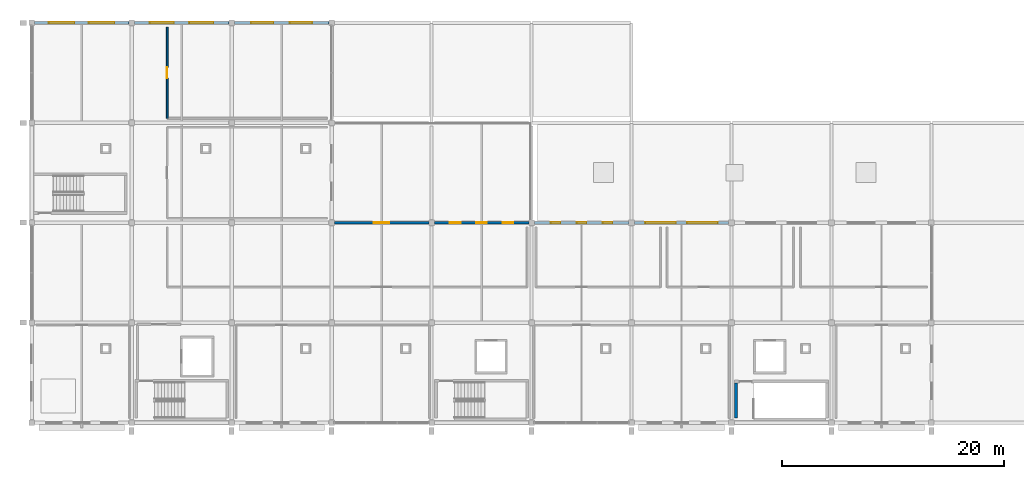
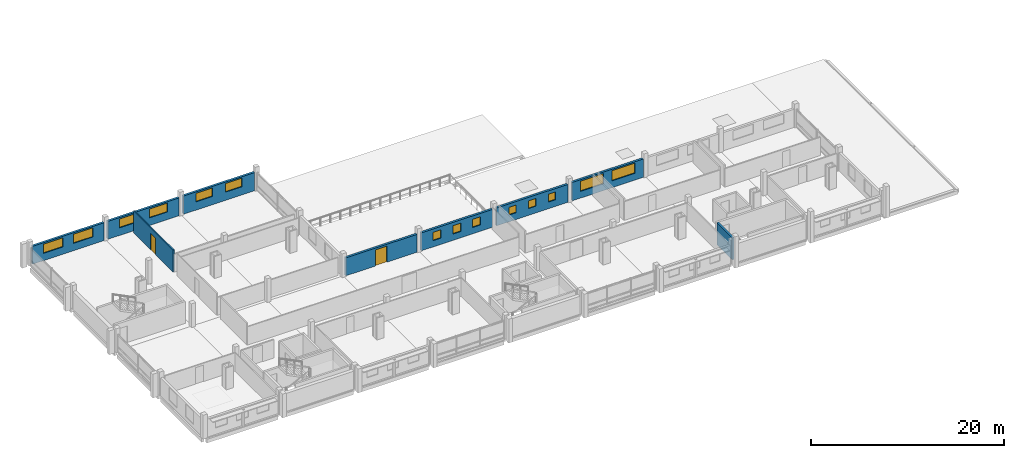
# One storey, part 20 of 25: 14 windows, 9 walls, 2 doors, 16 openings.
"""IFC4 building model written with IfcOpenShell, lengths in metres."""

from ifc_helpers import new_model, si_unit, direction, frame, frame_2d, origin, place, context, subcontext, project, spatial, rectangle, extrude, material, layer, layer_set, type_object, element, fill, save


model = new_model("IFC4")

# Units and contexts
model_context = context("Model", 3, precision=1e-05, world=origin(), true_north=direction((0.0, 1.0)))
body_context = subcontext(model_context, "Body", "Model", "MODEL_VIEW")
ifc_project = project(units=[si_unit("LENGTHUNIT", "METRE"), si_unit("AREAUNIT", "SQUARE_METRE"), si_unit("VOLUMEUNIT", "CUBIC_METRE"), si_unit("PLANEANGLEUNIT", "RADIAN"), si_unit("MASSUNIT", "GRAM", prefix="KILO")], contexts=[model_context])

# Site, building, storey
site_placement = place(None, origin())
site = spatial("IfcSite", under=ifc_project, at=site_placement, CompositionType="ELEMENT")
building_placement = place(site_placement, origin())
building = spatial("IfcBuilding", under=site, at=building_placement, Name="Tharagai Park Tramway Depot", CompositionType="ELEMENT")
storey_placement = place(building_placement, frame((0.0, 0.0, 12.0)))
storey = spatial("IfcBuildingStorey", under=building, at=storey_placement, Name="L03", CompositionType="ELEMENT", Elevation=12.0)

# Wall, opening, door
ifc_material_1 = material(Name="Pressed clay brick", Category="masonry")
ifc_layer_1 = layer(ifc_material_1, 0.260009765625)
ifc_layer_set_1 = layer_set([ifc_layer_1], Name="Pressed clay brick")
wall_type_1 = type_object("IfcWallType", Name="EW-05", PredefinedType="SOLIDWALL", material=ifc_layer_set_1)
wall_1_placement = place(storey_placement, frame((27.248046875, 18.0, 0.0), z_axis=(0.0, 0.0, 1.0), x_axis=(1.0, 0.0, 0.0)))
wall_1 = element("IfcWall", 1, at=wall_1_placement, inside=storey, type_object=wall_type_1, Name="L03 V4 Exterior Masonry Wall EW-05", PredefinedType="SOLIDWALL", context=body_context, shape_type="SweptSolid", body=[
    extrude(rectangle(XDim=8.50390625, YDim=0.260009765625, at=frame_2d((4.251953125, 0.0))), origin(), (0.0, 0.0, 1.0), 2.261962890625),
])
opening_1_placement = place(wall_1_placement, frame((3.56201171875, 0.0, 0.0)))
opening_1 = element("IfcOpeningElement", 2, at=opening_1_placement, cuts=wall_1, Name="Opening ED-02", PredefinedType="OPENING", context=body_context, shape_type="SweptSolid", body=[
    extrude(rectangle(XDim=1.3798828125, YDim=2.0400390625, at=frame_2d((0.68994140625, 1.02001953125))), frame((0.0, 0.139892578125, 0.0), z_axis=(0.0, -1.0, 0.0), x_axis=(1.0, 0.0, 0.0)), (0.0, 0.0, 1.0), 0.280029296875),
])
ifc_material_2 = material(Name="Anodised aluminium", Category="aluminium")
door_type_1 = type_object("IfcDoorType", Name="ED-02", OperationType="NOTDEFINED", PredefinedType="DOOR", material=ifc_material_2)
door_1_placement = place(opening_1_placement, origin())
door_1 = element("IfcDoor", 3, at=door_1_placement, inside=storey, type_object=door_type_1, Name="T-L03-V4 Terrace Access Door", OperationType="SINGLE_SWING_LEFT", OverallHeight=2.0400390625, OverallWidth=1.3798828125, PredefinedType="DOOR", context=body_context, shape_type="SweptSolid", body=[
    extrude(rectangle(XDim=1.3798828125, YDim=2.0400390625, at=frame_2d((0.68994140625, 1.02001953125))), frame((0.0, 0.02490234375, 0.0), z_axis=(0.0, -1.0, 0.0), x_axis=(1.0, 0.0, 0.0)), (0.0, 0.0, 1.0), 0.050048828125),
])
fill(opening_1, door_1)

# Wall, openings, windows
wall_2_placement = place(storey_placement, frame((36.248046875, 18.0, 0.0), z_axis=(0.0, 0.0, 1.0), x_axis=(1.0, 0.0, 0.0)))
wall_2 = element("IfcWall", 4, at=wall_2_placement, inside=storey, type_object=wall_type_1, Name="L03 V4 Exterior Masonry Wall EW-05", PredefinedType="SOLIDWALL", context=body_context, shape_type="SweptSolid", body=[
    extrude(rectangle(XDim=8.50390625, YDim=0.260009765625, at=frame_2d((4.251953125, 0.0))), origin(), (0.0, 0.0, 1.0), 2.261962890625),
])
opening_2_placement = place(wall_2_placement, frame((1.406005859375, 0.0, 0.800048828125)))
opening_2 = element("IfcOpeningElement", 5, at=opening_2_placement, cuts=wall_2, Name="Opening WN-51", PredefinedType="OPENING", context=body_context, shape_type="SweptSolid", body=[
    extrude(rectangle(XDim=0.9599609375, YDim=1.0400390625, at=frame_2d((0.47998046875, 0.52001953125))), frame((0.0, 0.139892578125, 0.0), z_axis=(0.0, -1.0, 0.0), x_axis=(1.0, 0.0, 0.0)), (0.0, 0.0, 1.0), 0.280029296875),
])
opening_3_placement = place(wall_2_placement, frame((3.77197265625, 0.0, 0.800048828125)))
opening_3 = element("IfcOpeningElement", 6, at=opening_3_placement, cuts=wall_2, Name="Opening WN-51", PredefinedType="OPENING", context=body_context, shape_type="SweptSolid", body=[
    extrude(rectangle(XDim=0.9599609375, YDim=1.0400390625, at=frame_2d((0.47998046875, 0.52001953125))), frame((0.0, 0.139892578125, 0.0), z_axis=(0.0, -1.0, 0.0), x_axis=(1.0, 0.0, 0.0)), (0.0, 0.0, 1.0), 0.280029296875),
])
opening_4_placement = place(wall_2_placement, frame((6.137939453125, 0.0, 0.800048828125)))
opening_4 = element("IfcOpeningElement", 7, at=opening_4_placement, cuts=wall_2, Name="Opening WN-51", PredefinedType="OPENING", context=body_context, shape_type="SweptSolid", body=[
    extrude(rectangle(XDim=0.9599609375, YDim=1.0400390625, at=frame_2d((0.47998046875, 0.52001953125))), frame((0.0, 0.139892578125, 0.0), z_axis=(0.0, -1.0, 0.0), x_axis=(1.0, 0.0, 0.0)), (0.0, 0.0, 1.0), 0.280029296875),
])
ifc_material_3 = material(Name="Laminated solar-control glass", Category="glass")
window_type_1 = type_object("IfcWindowType", Name="WN-51", PartitioningType="SINGLE_PANEL", PredefinedType="WINDOW", material=ifc_material_3)
window_1_placement = place(opening_2_placement, origin())
window_1 = element("IfcWindow", 8, at=window_1_placement, inside=storey, type_object=window_type_1, Name="L03 V4 Gothic Lancet Window WN-51", OverallHeight=1.0400390625, OverallWidth=0.9599609375, PartitioningType="SINGLE_PANEL", PredefinedType="WINDOW", context=body_context, shape_type="SweptSolid", body=[
    extrude(rectangle(XDim=0.9599609375, YDim=1.0400390625, at=frame_2d((0.47998046875, 0.52001953125))), frame((0.0, 0.030029296875, 0.0), z_axis=(0.0, -1.0, 0.0), x_axis=(1.0, 0.0, 0.0)), (0.0, 0.0, 1.0), 0.06005859375),
])
fill(opening_2, window_1)
window_2_placement = place(opening_3_placement, origin())
window_2 = element("IfcWindow", 9, at=window_2_placement, inside=storey, type_object=window_type_1, Name="L03 V4 Gothic Lancet Window WN-51", OverallHeight=1.0400390625, OverallWidth=0.9599609375, PartitioningType="SINGLE_PANEL", PredefinedType="WINDOW", context=body_context, shape_type="SweptSolid", body=[
    extrude(rectangle(XDim=0.9599609375, YDim=1.0400390625, at=frame_2d((0.47998046875, 0.52001953125))), frame((0.0, 0.030029296875, 0.0), z_axis=(0.0, -1.0, 0.0), x_axis=(1.0, 0.0, 0.0)), (0.0, 0.0, 1.0), 0.06005859375),
])
fill(opening_3, window_2)
window_3_placement = place(opening_4_placement, origin())
window_3 = element("IfcWindow", 10, at=window_3_placement, inside=storey, type_object=window_type_1, Name="L03 V4 Gothic Lancet Window WN-51", OverallHeight=1.0400390625, OverallWidth=0.9599609375, PartitioningType="SINGLE_PANEL", PredefinedType="WINDOW", context=body_context, shape_type="SweptSolid", body=[
    extrude(rectangle(XDim=0.9599609375, YDim=1.0400390625, at=frame_2d((0.47998046875, 0.52001953125))), frame((0.0, 0.030029296875, 0.0), z_axis=(0.0, -1.0, 0.0), x_axis=(1.0, 0.0, 0.0)), (0.0, 0.0, 1.0), 0.06005859375),
])
fill(opening_4, window_3)

wall_3_placement = place(storey_placement, frame((45.248046875, 18.0, 0.0), z_axis=(0.0, 0.0, 1.0), x_axis=(1.0, 0.0, 0.0)))
wall_3 = element("IfcWall", 11, at=wall_3_placement, inside=storey, type_object=wall_type_1, Name="L03 V4 Exterior Masonry Wall EW-05", PredefinedType="SOLIDWALL", context=body_context, shape_type="SweptSolid", body=[
    extrude(rectangle(XDim=8.50390625, YDim=0.260009765625, at=frame_2d((4.251953125, 0.0))), origin(), (0.0, 0.0, 1.0), 2.261962890625),
])
opening_5_placement = place(wall_3_placement, frame((1.48095703125, 0.0, 0.85009765625)))
opening_5 = element("IfcOpeningElement", 12, at=opening_5_placement, cuts=wall_3, Name="Opening WN-06", PredefinedType="OPENING", context=body_context, shape_type="SweptSolid", body=[
    extrude(rectangle(XDim=0.860107421875, YDim=0.97998046875, at=frame_2d((0.43017578125, 0.489990234375))), frame((0.0, 0.139892578125, 0.0), z_axis=(0.0, -1.0, 0.0), x_axis=(1.0, 0.0, 0.0)), (0.0, 0.0, 1.0), 0.280029296875),
])
opening_6_placement = place(wall_3_placement, frame((3.822021484375, 0.0, 0.85009765625)))
opening_6 = element("IfcOpeningElement", 13, at=opening_6_placement, cuts=wall_3, Name="Opening WN-06", PredefinedType="OPENING", context=body_context, shape_type="SweptSolid", body=[
    extrude(rectangle(XDim=0.860107421875, YDim=0.97998046875, at=frame_2d((0.43017578125, 0.489990234375))), frame((0.0, 0.139892578125, 0.0), z_axis=(0.0, -1.0, 0.0), x_axis=(1.0, 0.0, 0.0)), (0.0, 0.0, 1.0), 0.280029296875),
])
opening_7_placement = place(wall_3_placement, frame((6.1630859375, 0.0, 0.85009765625)))
opening_7 = element("IfcOpeningElement", 14, at=opening_7_placement, cuts=wall_3, Name="Opening WN-06", PredefinedType="OPENING", context=body_context, shape_type="SweptSolid", body=[
    extrude(rectangle(XDim=0.860107421875, YDim=0.97998046875, at=frame_2d((0.43017578125, 0.489990234375))), frame((0.0, 0.139892578125, 0.0), z_axis=(0.0, -1.0, 0.0), x_axis=(1.0, 0.0, 0.0)), (0.0, 0.0, 1.0), 0.280029296875),
])
window_type_2 = type_object("IfcWindowType", Name="WN-06", PartitioningType="SINGLE_PANEL", PredefinedType="WINDOW", material=ifc_material_3)
window_4_placement = place(opening_5_placement, origin())
window_4 = element("IfcWindow", 15, at=window_4_placement, inside=storey, type_object=window_type_2, Name="L03 V4 Gothic Lancet Window WN-06", OverallHeight=0.97998046875, OverallWidth=0.860107421875, PartitioningType="SINGLE_PANEL", PredefinedType="WINDOW", context=body_context, shape_type="SweptSolid", body=[
    extrude(rectangle(XDim=0.860107421875, YDim=0.97998046875, at=frame_2d((0.43017578125, 0.489990234375))), frame((0.0, 0.030029296875, 0.0), z_axis=(0.0, -1.0, 0.0), x_axis=(1.0, 0.0, 0.0)), (0.0, 0.0, 1.0), 0.06005859375),
])
fill(opening_5, window_4)
window_5_placement = place(opening_6_placement, origin())
window_5 = element("IfcWindow", 16, at=window_5_placement, inside=storey, type_object=window_type_2, Name="L03 V4 Gothic Lancet Window WN-06", OverallHeight=0.97998046875, OverallWidth=0.860107421875, PartitioningType="SINGLE_PANEL", PredefinedType="WINDOW", context=body_context, shape_type="SweptSolid", body=[
    extrude(rectangle(XDim=0.860107421875, YDim=0.97998046875, at=frame_2d((0.43017578125, 0.489990234375))), frame((0.0, 0.030029296875, 0.0), z_axis=(0.0, -1.0, 0.0), x_axis=(1.0, 0.0, 0.0)), (0.0, 0.0, 1.0), 0.06005859375),
])
fill(opening_6, window_5)
window_6_placement = place(opening_7_placement, origin())
window_6 = element("IfcWindow", 17, at=window_6_placement, inside=storey, type_object=window_type_2, Name="L03 V4 Gothic Lancet Window WN-06", OverallHeight=0.97998046875, OverallWidth=0.860107421875, PartitioningType="SINGLE_PANEL", PredefinedType="WINDOW", context=body_context, shape_type="SweptSolid", body=[
    extrude(rectangle(XDim=0.860107421875, YDim=0.97998046875, at=frame_2d((0.43017578125, 0.489990234375))), frame((0.0, 0.030029296875, 0.0), z_axis=(0.0, -1.0, 0.0), x_axis=(1.0, 0.0, 0.0)), (0.0, 0.0, 1.0), 0.06005859375),
])
fill(opening_7, window_6)

wall_4_placement = place(storey_placement, frame((54.248046875, 18.0, 0.0), z_axis=(0.0, 0.0, 1.0), x_axis=(1.0, 0.0, 0.0)))
wall_4 = element("IfcWall", 18, at=wall_4_placement, inside=storey, type_object=wall_type_1, Name="L03 V4 Exterior Masonry Wall EW-05", PredefinedType="SOLIDWALL", context=body_context, shape_type="SweptSolid", body=[
    extrude(rectangle(XDim=8.50390625, YDim=0.260009765625, at=frame_2d((4.251953125, 0.0))), origin(), (0.0, 0.0, 1.0), 2.322021484375),
])
opening_8_placement = place(wall_4_placement, frame((1.0009765625, 0.0, 0.860107421875)))
opening_8 = element("IfcOpeningElement", 19, at=opening_8_placement, cuts=wall_4, Name="Opening WN-40", PredefinedType="OPENING", context=body_context, shape_type="SweptSolid", body=[
    extrude(rectangle(XDim=2.75, YDim=1.280029296875, at=frame_2d((1.375, 0.64013671875))), frame((0.0, 0.139892578125, 0.0), z_axis=(0.0, -1.0, 0.0), x_axis=(1.0, 0.0, 0.0)), (0.0, 0.0, 1.0), 0.280029296875),
])
opening_9_placement = place(wall_4_placement, frame((4.7529296875, 0.0, 0.860107421875)))
opening_9 = element("IfcOpeningElement", 20, at=opening_9_placement, cuts=wall_4, Name="Opening WN-40", PredefinedType="OPENING", context=body_context, shape_type="SweptSolid", body=[
    extrude(rectangle(XDim=2.75, YDim=1.280029296875, at=frame_2d((1.375, 0.64013671875))), frame((0.0, 0.139892578125, 0.0), z_axis=(0.0, -1.0, 0.0), x_axis=(1.0, 0.0, 0.0)), (0.0, 0.0, 1.0), 0.280029296875),
])
window_type_3 = type_object("IfcWindowType", Name="WN-40", PartitioningType="SINGLE_PANEL", PredefinedType="WINDOW", material=ifc_material_3)
window_7_placement = place(opening_8_placement, origin())
window_7 = element("IfcWindow", 21, at=window_7_placement, inside=storey, type_object=window_type_3, Name="L03 V4 Gothic Lancet Window WN-40", OverallHeight=1.280029296875, OverallWidth=2.75, PartitioningType="SINGLE_PANEL", PredefinedType="WINDOW", context=body_context, shape_type="SweptSolid", body=[
    extrude(rectangle(XDim=2.75, YDim=1.280029296875, at=frame_2d((1.375, 0.64013671875))), frame((0.0, 0.030029296875, 0.0), z_axis=(0.0, -1.0, 0.0), x_axis=(1.0, 0.0, 0.0)), (0.0, 0.0, 1.0), 0.06005859375),
])
fill(opening_8, window_7)
window_8_placement = place(opening_9_placement, origin())
window_8 = element("IfcWindow", 22, at=window_8_placement, inside=storey, type_object=window_type_3, Name="L03 V4 Gothic Lancet Window WN-40", OverallHeight=1.280029296875, OverallWidth=2.75, PartitioningType="SINGLE_PANEL", PredefinedType="WINDOW", context=body_context, shape_type="SweptSolid", body=[
    extrude(rectangle(XDim=2.75, YDim=1.280029296875, at=frame_2d((1.375, 0.64013671875))), frame((0.0, 0.030029296875, 0.0), z_axis=(0.0, -1.0, 0.0), x_axis=(1.0, 0.0, 0.0)), (0.0, 0.0, 1.0), 0.06005859375),
])
fill(opening_9, window_8)

wall_5_placement = place(storey_placement, frame((0.248046875, 36.0, 0.0), z_axis=(0.0, 0.0, 1.0), x_axis=(1.0, 0.0, 0.0)))
wall_5 = element("IfcWall", 23, at=wall_5_placement, inside=storey, type_object=wall_type_1, Name="L03 V4 Exterior Masonry Wall EW-05", PredefinedType="SOLIDWALL", context=body_context, shape_type="SweptSolid", body=[
    extrude(rectangle(XDim=8.50390625, YDim=0.260009765625, at=frame_2d((4.251953125, 0.0))), origin(), (0.0, 0.0, 1.0), 2.261962890625),
])
opening_10_placement = place(wall_5_placement, frame((1.301025390625, 0.0, 0.919921875)))
opening_10 = element("IfcOpeningElement", 24, at=opening_10_placement, cuts=wall_5, Name="Opening WN-50", PredefinedType="OPENING", context=body_context, shape_type="SweptSolid", body=[
    extrude(rectangle(XDim=2.300048828125, YDim=1.159912109375, at=frame_2d((1.14990234375, 0.580078125))), frame((0.0, 0.139892578125, 0.0), z_axis=(0.0, -1.0, 0.0), x_axis=(1.0, 0.0, 0.0)), (0.0, 0.0, 1.0), 0.280029296875),
])
opening_11_placement = place(wall_5_placement, frame((4.903076171875, 0.0, 0.919921875)))
opening_11 = element("IfcOpeningElement", 25, at=opening_11_placement, cuts=wall_5, Name="Opening WN-50", PredefinedType="OPENING", context=body_context, shape_type="SweptSolid", body=[
    extrude(rectangle(XDim=2.300048828125, YDim=1.159912109375, at=frame_2d((1.14990234375, 0.580078125))), frame((0.0, 0.139892578125, 0.0), z_axis=(0.0, -1.0, 0.0), x_axis=(1.0, 0.0, 0.0)), (0.0, 0.0, 1.0), 0.280029296875),
])
window_type_4 = type_object("IfcWindowType", Name="WN-50", PartitioningType="SINGLE_PANEL", PredefinedType="WINDOW", material=ifc_material_3)
window_9_placement = place(opening_10_placement, origin())
window_9 = element("IfcWindow", 26, at=window_9_placement, inside=storey, type_object=window_type_4, Name="L03 V4 Gothic Lancet Window WN-50", OverallHeight=1.159912109375, OverallWidth=2.300048828125, PartitioningType="SINGLE_PANEL", PredefinedType="WINDOW", context=body_context, shape_type="SweptSolid", body=[
    extrude(rectangle(XDim=2.300048828125, YDim=1.159912109375, at=frame_2d((1.14990234375, 0.580078125))), frame((0.0, 0.030029296875, 0.0), z_axis=(0.0, -1.0, 0.0), x_axis=(1.0, 0.0, 0.0)), (0.0, 0.0, 1.0), 0.06005859375),
])
fill(opening_10, window_9)
window_10_placement = place(opening_11_placement, origin())
window_10 = element("IfcWindow", 27, at=window_10_placement, inside=storey, type_object=window_type_4, Name="L03 V4 Gothic Lancet Window WN-50", OverallHeight=1.159912109375, OverallWidth=2.300048828125, PartitioningType="SINGLE_PANEL", PredefinedType="WINDOW", context=body_context, shape_type="SweptSolid", body=[
    extrude(rectangle(XDim=2.300048828125, YDim=1.159912109375, at=frame_2d((1.14990234375, 0.580078125))), frame((0.0, 0.030029296875, 0.0), z_axis=(0.0, -1.0, 0.0), x_axis=(1.0, 0.0, 0.0)), (0.0, 0.0, 1.0), 0.06005859375),
])
fill(opening_11, window_10)

wall_6_placement = place(storey_placement, frame((9.248046875, 36.0, 0.0), z_axis=(0.0, 0.0, 1.0), x_axis=(1.0, 0.0, 0.0)))
wall_6 = element("IfcWall", 28, at=wall_6_placement, inside=storey, type_object=wall_type_1, Name="L03 V4 Exterior Masonry Wall EW-05", PredefinedType="SOLIDWALL", context=body_context, shape_type="SweptSolid", body=[
    extrude(rectangle(XDim=8.50390625, YDim=0.260009765625, at=frame_2d((4.251953125, 0.0))), origin(), (0.0, 0.0, 1.0), 2.261962890625),
])
opening_12_placement = place(wall_6_placement, frame((1.40087890625, 0.0, 0.9599609375)))
opening_12 = element("IfcOpeningElement", 29, at=opening_12_placement, cuts=wall_6, Name="Opening WN-13", PredefinedType="OPENING", context=body_context, shape_type="SweptSolid", body=[
    extrude(rectangle(XDim=2.14990234375, YDim=1.1201171875, at=frame_2d((1.074951171875, 0.56005859375))), frame((0.0, 0.139892578125, 0.0), z_axis=(0.0, -1.0, 0.0), x_axis=(1.0, 0.0, 0.0)), (0.0, 0.0, 1.0), 0.280029296875),
])
opening_13_placement = place(wall_6_placement, frame((4.952880859375, 0.0, 0.9599609375)))
opening_13 = element("IfcOpeningElement", 30, at=opening_13_placement, cuts=wall_6, Name="Opening WN-13", PredefinedType="OPENING", context=body_context, shape_type="SweptSolid", body=[
    extrude(rectangle(XDim=2.14990234375, YDim=1.1201171875, at=frame_2d((1.074951171875, 0.56005859375))), frame((0.0, 0.139892578125, 0.0), z_axis=(0.0, -1.0, 0.0), x_axis=(1.0, 0.0, 0.0)), (0.0, 0.0, 1.0), 0.280029296875),
])
window_type_5 = type_object("IfcWindowType", Name="WN-13", PartitioningType="SINGLE_PANEL", PredefinedType="WINDOW", material=ifc_material_3)
window_11_placement = place(opening_12_placement, origin())
window_11 = element("IfcWindow", 31, at=window_11_placement, inside=storey, type_object=window_type_5, Name="L03 V4 Gothic Lancet Window WN-13", OverallHeight=1.1201171875, OverallWidth=2.14990234375, PartitioningType="SINGLE_PANEL", PredefinedType="WINDOW", context=body_context, shape_type="SweptSolid", body=[
    extrude(rectangle(XDim=2.14990234375, YDim=1.1201171875, at=frame_2d((1.074951171875, 0.56005859375))), frame((0.0, 0.030029296875, 0.0), z_axis=(0.0, -1.0, 0.0), x_axis=(1.0, 0.0, 0.0)), (0.0, 0.0, 1.0), 0.06005859375),
])
fill(opening_12, window_11)
window_12_placement = place(opening_13_placement, origin())
window_12 = element("IfcWindow", 32, at=window_12_placement, inside=storey, type_object=window_type_5, Name="L03 V4 Gothic Lancet Window WN-13", OverallHeight=1.1201171875, OverallWidth=2.14990234375, PartitioningType="SINGLE_PANEL", PredefinedType="WINDOW", context=body_context, shape_type="SweptSolid", body=[
    extrude(rectangle(XDim=2.14990234375, YDim=1.1201171875, at=frame_2d((1.074951171875, 0.56005859375))), frame((0.0, 0.030029296875, 0.0), z_axis=(0.0, -1.0, 0.0), x_axis=(1.0, 0.0, 0.0)), (0.0, 0.0, 1.0), 0.06005859375),
])
fill(opening_13, window_12)

wall_7_placement = place(storey_placement, frame((18.248046875, 36.0, 0.0), z_axis=(0.0, 0.0, 1.0), x_axis=(1.0, 0.0, 0.0)))
wall_7 = element("IfcWall", 33, at=wall_7_placement, inside=storey, type_object=wall_type_1, Name="L03 V4 Exterior Masonry Wall EW-05", PredefinedType="SOLIDWALL", context=body_context, shape_type="SweptSolid", body=[
    extrude(rectangle(XDim=8.50390625, YDim=0.260009765625, at=frame_2d((4.251953125, 0.0))), origin(), (0.0, 0.0, 1.0), 2.302001953125),
])
opening_14_placement = place(wall_7_placement, frame((1.5009765625, 0.0, 1.0400390625)))
opening_14 = element("IfcOpeningElement", 34, at=opening_14_placement, cuts=wall_7, Name="Opening WN-49", PredefinedType="OPENING", context=body_context, shape_type="SweptSolid", body=[
    extrude(rectangle(XDim=2.0, YDim=1.080078125, at=frame_2d((1.0, 0.5400390625))), frame((0.0, 0.139892578125, 0.0), z_axis=(0.0, -1.0, 0.0), x_axis=(1.0, 0.0, 0.0)), (0.0, 0.0, 1.0), 0.280029296875),
])
opening_15_placement = place(wall_7_placement, frame((5.0029296875, 0.0, 1.0400390625)))
opening_15 = element("IfcOpeningElement", 35, at=opening_15_placement, cuts=wall_7, Name="Opening WN-49", PredefinedType="OPENING", context=body_context, shape_type="SweptSolid", body=[
    extrude(rectangle(XDim=2.0, YDim=1.080078125, at=frame_2d((1.0, 0.5400390625))), frame((0.0, 0.139892578125, 0.0), z_axis=(0.0, -1.0, 0.0), x_axis=(1.0, 0.0, 0.0)), (0.0, 0.0, 1.0), 0.280029296875),
])
window_type_6 = type_object("IfcWindowType", Name="WN-49", PartitioningType="SINGLE_PANEL", PredefinedType="WINDOW", material=ifc_material_3)
window_13_placement = place(opening_14_placement, origin())
window_13 = element("IfcWindow", 36, at=window_13_placement, inside=storey, type_object=window_type_6, Name="L03 V4 Gothic Lancet Window WN-49", OverallHeight=1.080078125, OverallWidth=2.0, PartitioningType="SINGLE_PANEL", PredefinedType="WINDOW", context=body_context, shape_type="SweptSolid", body=[
    extrude(rectangle(XDim=2.0, YDim=1.080078125, at=frame_2d((1.0, 0.5400390625))), frame((0.0, 0.030029296875, 0.0), z_axis=(0.0, -1.0, 0.0), x_axis=(1.0, 0.0, 0.0)), (0.0, 0.0, 1.0), 0.06005859375),
])
fill(opening_14, window_13)
window_14_placement = place(opening_15_placement, origin())
window_14 = element("IfcWindow", 37, at=window_14_placement, inside=storey, type_object=window_type_6, Name="L03 V4 Gothic Lancet Window WN-49", OverallHeight=1.080078125, OverallWidth=2.0, PartitioningType="SINGLE_PANEL", PredefinedType="WINDOW", context=body_context, shape_type="SweptSolid", body=[
    extrude(rectangle(XDim=2.0, YDim=1.080078125, at=frame_2d((1.0, 0.5400390625))), frame((0.0, 0.030029296875, 0.0), z_axis=(0.0, -1.0, 0.0), x_axis=(1.0, 0.0, 0.0)), (0.0, 0.0, 1.0), 0.06005859375),
])
fill(opening_15, window_14)

# Wall, opening, door
ifc_layer_2 = layer(ifc_material_1, 0.159912109375)
ifc_layer_set_2 = layer_set([ifc_layer_2], Name="Pressed clay brick")
wall_type_2 = type_object("IfcWallType", Name="IW-02", PredefinedType="PARTITIONING", material=ifc_layer_set_2)
wall_8_placement = place(storey_placement, frame((12.199951171875, 27.39990234375, 0.0), z_axis=(0.0, 0.0, 1.0), x_axis=(0.0, 1.0, 0.0)))
wall_8 = element("IfcWall", 38, at=wall_8_placement, inside=storey, type_object=wall_type_2, Name="Kitchen Extract and Fresh-Air Plant Room Partition West", PredefinedType="PARTITIONING", context=body_context, shape_type="SweptSolid", body=[
    extrude(rectangle(XDim=8.2001953125, YDim=0.159912109375, at=frame_2d((4.10009765625, 0.0))), origin(), (0.0, 0.0, 1.0), 2.75),
])
opening_16_placement = place(wall_8_placement, frame((3.590087890625, 0.0, 0.0)))
opening_16 = element("IfcOpeningElement", 39, at=opening_16_placement, cuts=wall_8, Name="Opening ID-12", PredefinedType="OPENING", context=body_context, shape_type="SweptSolid", body=[
    extrude(rectangle(XDim=1.02001953125, YDim=2.10009765625, at=frame_2d((0.510009765625, 1.050048828125))), frame((0.0, 0.08984375, 0.0), z_axis=(0.0, -1.0, 0.0), x_axis=(1.0, 0.0, 0.0)), (0.0, 0.0, 1.0), 0.179931640625),
])
ifc_material_4 = material(Name="Pressed timber", Category="wood")
door_type_2 = type_object("IfcDoorType", Name="ID-12", OperationType="NOTDEFINED", PredefinedType="DOOR", material=ifc_material_4)
door_2_placement = place(opening_16_placement, origin())
door_2 = element("IfcDoor", 40, at=door_2_placement, inside=storey, type_object=door_type_2, Name="Kitchen Extract and Fresh-Air Plant Room Door", OperationType="SINGLE_SWING_RIGHT", OverallHeight=2.10009765625, OverallWidth=1.02001953125, PredefinedType="DOOR", context=body_context, shape_type="SweptSolid", body=[
    extrude(rectangle(XDim=1.02001953125, YDim=2.10009765625, at=frame_2d((0.510009765625, 1.050048828125))), frame((0.0, 0.02490234375, 0.0), z_axis=(0.0, -1.0, 0.0), x_axis=(1.0, 0.0, 0.0)), (0.0, 0.0, 1.0), 0.050048828125),
])
fill(opening_16, door_2)

# Wall
ifc_material_5 = material(Name="Concrete M40", Category="concrete")
ifc_layer_3 = layer(ifc_material_5, 0.239990234375)
ifc_layer_set_3 = layer_set([ifc_layer_3], Name="Concrete M40")
wall_type_3 = type_object("IfcWallType", Name="SW-01", PredefinedType="SHEAR", material=ifc_layer_set_3)
wall_9_placement = place(storey_placement, frame((63.39990234375, 0.39990234375, 0.0), z_axis=(0.0, 0.0, 1.0), x_axis=(0.0, 1.0, 0.0)))
element("IfcWall", 41, at=wall_9_placement, inside=storey, type_object=wall_type_3, Name="Core C4 L03 Shear Wall West", PredefinedType="SHEAR", context=body_context, shape_type="SweptSolid", body=[
    extrude(rectangle(XDim=3.190185546875, YDim=0.239990234375, at=frame_2d((1.59521484375, 0.0))), origin(), (0.0, 0.0, 1.0), 2.75),
])

save(model, "model.ifc")
